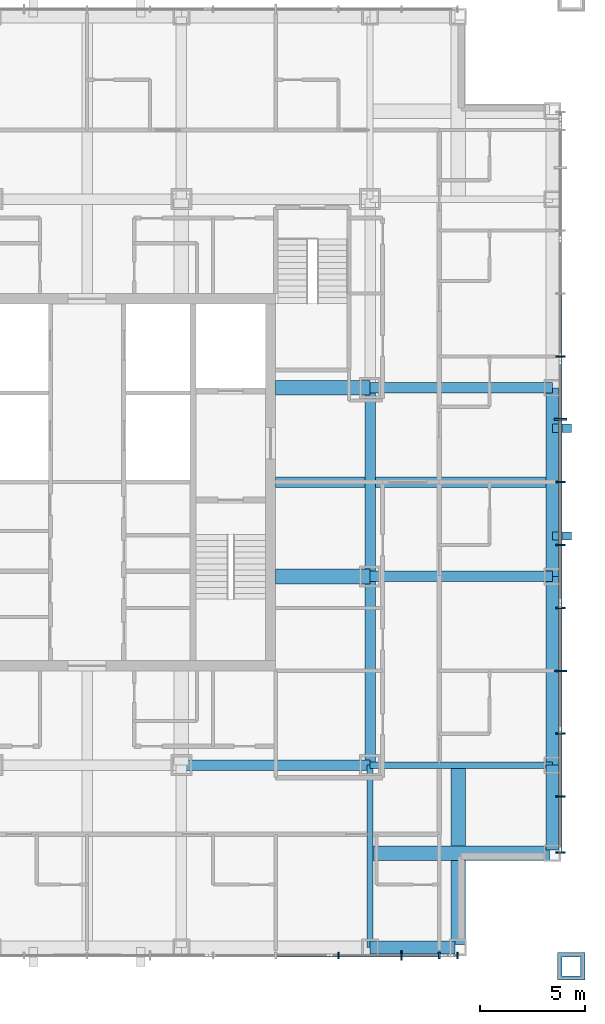
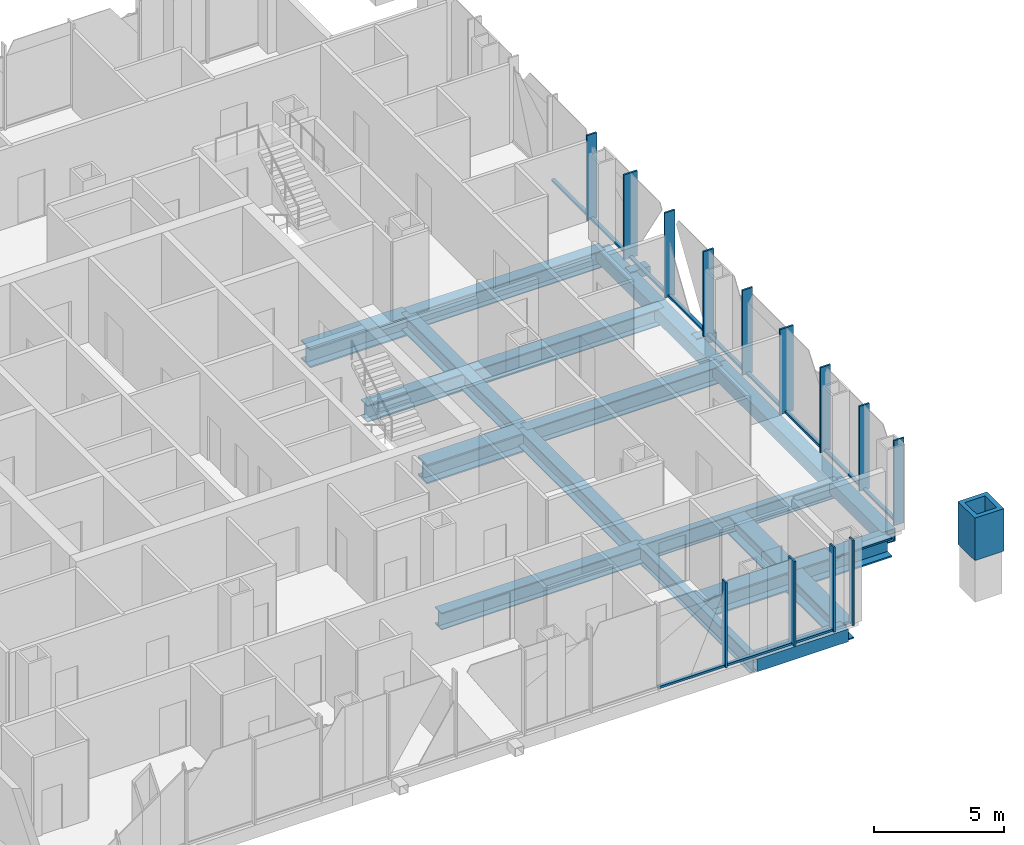
# One storey, part 3 of 25: 28 members, 16 beams, 2 elements without a shape of their own.
"""IFC4 building model written with IfcOpenShell, lengths in metres."""

from ifc_helpers import new_model, si_unit, direction, frame, origin, origin_2d, place, context, subcontext, project, spatial, rectangle, hollow_rectangle, i_section, extrude, material, layer, layer_set, material_profile, profile_set, type_object, element, aggregate, save


model = new_model("IFC4")

# Units and contexts
model_context = context("Model", 3, precision=1e-05, world=origin(), true_north=direction((0.0, 1.0)))
body_context = subcontext(model_context, "Body", "Model", "MODEL_VIEW")
ifc_project = project(units=[si_unit("LENGTHUNIT", "METRE"), si_unit("AREAUNIT", "SQUARE_METRE"), si_unit("VOLUMEUNIT", "CUBIC_METRE"), si_unit("PLANEANGLEUNIT", "RADIAN"), si_unit("MASSUNIT", "GRAM", prefix="KILO")], contexts=[model_context])

# Site, building, storey
site_placement = place(None, origin())
site = spatial("IfcSite", under=ifc_project, at=site_placement, CompositionType="ELEMENT")
building_placement = place(site_placement, origin())
building = spatial("IfcBuilding", under=site, at=building_placement, Name="Malebo Sky Hospital", CompositionType="ELEMENT")
storey_placement = place(building_placement, frame((0.0, 0.0, 241.0)))
storey = spatial("IfcBuildingStorey", under=building, at=storey_placement, Name="L58", CompositionType="ELEMENT", Elevation=241.0)

# Curtain wall, members
ifc_material_1 = material(Name="Anodised aluminium, natural silver", Category="aluminium")
ifc_layer_1 = layer(ifc_material_1, 0.25)
ifc_layer_set_1 = layer_set([ifc_layer_1], Name="WARD CURTAIN WALL NORTH AND SOUTH")
curtain_wall_type_1 = type_object("IfcCurtainWallType", Name="WARD CURTAIN WALL NORTH AND SOUTH", PredefinedType="NOTDEFINED", material=ifc_layer_set_1)
curtain_wall_1_placement = place(storey_placement, origin())
curtain_wall_1 = element("IfcCurtainWall", 1, at=curtain_wall_1_placement, inside=storey, type_object=curtain_wall_type_1, Name="NS curtain wall S", PredefinedType="NOTDEFINED")
ifc_material_profile_1 = material_profile(ifc_material_1, rectangle(XDim=0.14990234375, YDim=0.10009765625, at=origin_2d()), Name="ALUMINIUM TRANSOM 150x100")
ifc_profile_set_1 = profile_set([ifc_material_profile_1], Name="Anodised aluminium, natural silver")
member_type_1 = type_object("IfcMemberType", Name="ALUMINIUM TRANSOM 150x100", PredefinedType="USERDEFINED", material=ifc_profile_set_1)
member_1_placement = place(storey_placement, frame((76.762451171875, 39.425048828125, 0.050048828125), z_axis=(-1.0, 0.0, 0.0), x_axis=(0.0, -1.0, 0.0)))
member_1 = element("IfcMember", 2, at=member_1_placement, type_object=member_type_1, Name="Transom 2", ObjectType="TRANSOM", PredefinedType="USERDEFINED", context=body_context, shape_type="SweptSolid", body=[
    extrude(rectangle(XDim=0.14990234375, YDim=0.10009765625, at=origin_2d()), origin(), (0.0, 0.0, 1.0), 1.724853515625),
])
member_2_placement = place(storey_placement, frame((74.96240234375, 39.425048828125, 0.050048828125), z_axis=(-1.0, 0.0, 0.0), x_axis=(0.0, -1.0, 0.0)))
member_2 = element("IfcMember", 3, at=member_2_placement, type_object=member_type_1, Name="Transom 3", ObjectType="TRANSOM", PredefinedType="USERDEFINED", context=body_context, shape_type="SweptSolid", body=[
    extrude(rectangle(XDim=0.14990234375, YDim=0.10009765625, at=origin_2d()), origin(), (0.0, 0.0, 1.0), 2.9248046875),
])
member_3_placement = place(storey_placement, frame((71.96240234375, 39.425048828125, 0.050048828125), z_axis=(-1.0, 0.0, 0.0), x_axis=(0.0, -1.0, 0.0)))
member_3 = element("IfcMember", 4, at=member_3_placement, type_object=member_type_1, Name="Transom 4", ObjectType="TRANSOM", PredefinedType="USERDEFINED", context=body_context, shape_type="SweptSolid", body=[
    extrude(rectangle(XDim=0.14990234375, YDim=0.10009765625, at=origin_2d()), origin(), (0.0, 0.0, 1.0), 2.9248046875),
])

ifc_layer_2 = layer(ifc_material_1, 0.25)
ifc_layer_set_2 = layer_set([ifc_layer_2], Name="WARD CURTAIN WALL EAST AND WEST")
curtain_wall_type_2 = type_object("IfcCurtainWallType", Name="WARD CURTAIN WALL EAST AND WEST", PredefinedType="NOTDEFINED", material=ifc_layer_set_2)
curtain_wall_2_placement = place(storey_placement, origin())
curtain_wall_2 = element("IfcCurtainWall", 5, at=curtain_wall_2_placement, inside=storey, type_object=curtain_wall_type_2, Name="EW curtain wall E", PredefinedType="NOTDEFINED")
member_4_placement = place(storey_placement, frame((82.574951171875, 70.96240234375, 0.050048828125), z_axis=(0.0, -1.0, 0.0), x_axis=(1.0, 0.0, 0.0)))
member_4 = element("IfcMember", 6, at=member_4_placement, type_object=member_type_1, Name="Transom 5", ObjectType="TRANSOM", PredefinedType="USERDEFINED", context=body_context, shape_type="SweptSolid", body=[
    extrude(rectangle(XDim=0.14990234375, YDim=0.10009765625, at=origin_2d()), origin(), (0.0, 0.0, 1.0), 2.9248046875),
])
member_5_placement = place(storey_placement, frame((82.574951171875, 67.96240234375, 0.050048828125), z_axis=(0.0, -1.0, 0.0), x_axis=(1.0, 0.0, 0.0)))
member_5 = element("IfcMember", 7, at=member_5_placement, type_object=member_type_1, Name="Transom 6", ObjectType="TRANSOM", PredefinedType="USERDEFINED", context=body_context, shape_type="SweptSolid", body=[
    extrude(rectangle(XDim=0.14990234375, YDim=0.10009765625, at=origin_2d()), origin(), (0.0, 0.0, 1.0), 2.9248046875),
])
member_6_placement = place(storey_placement, frame((82.574951171875, 64.96240234375, 0.050048828125), z_axis=(0.0, -1.0, 0.0), x_axis=(1.0, 0.0, 0.0)))
member_6 = element("IfcMember", 8, at=member_6_placement, type_object=member_type_1, Name="Transom 7", ObjectType="TRANSOM", PredefinedType="USERDEFINED", context=body_context, shape_type="SweptSolid", body=[
    extrude(rectangle(XDim=0.14990234375, YDim=0.10009765625, at=origin_2d()), origin(), (0.0, 0.0, 1.0), 2.9248046875),
])
member_7_placement = place(storey_placement, frame((82.574951171875, 61.96240234375, 0.050048828125), z_axis=(0.0, -1.0, 0.0), x_axis=(1.0, 0.0, 0.0)))
member_7 = element("IfcMember", 9, at=member_7_placement, type_object=member_type_1, Name="Transom 8", ObjectType="TRANSOM", PredefinedType="USERDEFINED", context=body_context, shape_type="SweptSolid", body=[
    extrude(rectangle(XDim=0.14990234375, YDim=0.10009765625, at=origin_2d()), origin(), (0.0, 0.0, 1.0), 2.9248046875),
])
member_8_placement = place(storey_placement, frame((82.574951171875, 58.96240234375, 0.050048828125), z_axis=(0.0, -1.0, 0.0), x_axis=(1.0, 0.0, 0.0)))
member_8 = element("IfcMember", 10, at=member_8_placement, type_object=member_type_1, Name="Transom 9", ObjectType="TRANSOM", PredefinedType="USERDEFINED", context=body_context, shape_type="SweptSolid", body=[
    extrude(rectangle(XDim=0.14990234375, YDim=0.10009765625, at=origin_2d()), origin(), (0.0, 0.0, 1.0), 2.9248046875),
])
member_9_placement = place(storey_placement, frame((82.574951171875, 55.96240234375, 0.050048828125), z_axis=(0.0, -1.0, 0.0), x_axis=(1.0, 0.0, 0.0)))
member_9 = element("IfcMember", 11, at=member_9_placement, type_object=member_type_1, Name="Transom 10", ObjectType="TRANSOM", PredefinedType="USERDEFINED", context=body_context, shape_type="SweptSolid", body=[
    extrude(rectangle(XDim=0.14990234375, YDim=0.10009765625, at=origin_2d()), origin(), (0.0, 0.0, 1.0), 2.9248046875),
])
member_10_placement = place(storey_placement, frame((82.574951171875, 52.96240234375, 0.050048828125), z_axis=(0.0, -1.0, 0.0), x_axis=(1.0, 0.0, 0.0)))
member_10 = element("IfcMember", 12, at=member_10_placement, type_object=member_type_1, Name="Transom 11", ObjectType="TRANSOM", PredefinedType="USERDEFINED", context=body_context, shape_type="SweptSolid", body=[
    extrude(rectangle(XDim=0.14990234375, YDim=0.10009765625, at=origin_2d()), origin(), (0.0, 0.0, 1.0), 2.9248046875),
])
member_11_placement = place(storey_placement, frame((82.574951171875, 49.96240234375, 0.050048828125), z_axis=(0.0, -1.0, 0.0), x_axis=(1.0, 0.0, 0.0)))
member_11 = element("IfcMember", 13, at=member_11_placement, type_object=member_type_1, Name="Transom 12", ObjectType="TRANSOM", PredefinedType="USERDEFINED", context=body_context, shape_type="SweptSolid", body=[
    extrude(rectangle(XDim=0.14990234375, YDim=0.10009765625, at=origin_2d()), origin(), (0.0, 0.0, 1.0), 2.9248046875),
])
member_12_placement = place(storey_placement, frame((82.574951171875, 46.96240234375, 0.050048828125), z_axis=(0.0, -1.0, 0.0), x_axis=(1.0, 0.0, 0.0)))
member_12 = element("IfcMember", 14, at=member_12_placement, type_object=member_type_1, Name="Transom 13", ObjectType="TRANSOM", PredefinedType="USERDEFINED", context=body_context, shape_type="SweptSolid", body=[
    extrude(rectangle(XDim=0.14990234375, YDim=0.10009765625, at=origin_2d()), origin(), (0.0, 0.0, 1.0), 2.58740234375),
])

# Members
ifc_material_2 = material(Name="Steel S355", Category="steel")
ifc_material_profile_2 = material_profile(ifc_material_2, hollow_rectangle(XDim=0.39990234375, YDim=0.39990234375, WallThickness=0.02001953125, at=origin_2d()), Name="SHS 400x20")
ifc_profile_set_2 = profile_set([ifc_material_profile_2], Name="Steel S355")
member_type_2 = type_object("IfcMemberType", Name="BRACE STRUT SHS 400x20", PredefinedType="STRUT", material=ifc_profile_set_2)
for number, where, z_axis, x_axis, name in (
    (15, (83.10009765625, 59.433349609375, -0.39990234375), (-1.0, 0.0, 0.0), (0.0, -1.0, 0.0), "Brace strut CE1 L58"),
    (16, (83.10009765625, 64.566650390625, -0.39990234375), (-1.0, 0.0, 0.0), (0.0, -1.0, 0.0), "Brace strut CE2 L58"),
):
    element("IfcMember", number, at=place(storey_placement, frame(where, z_axis=z_axis, x_axis=x_axis)), inside=storey, type_object=member_type_2, Name=name, PredefinedType="STRUT", context=body_context, shape_type="SweptSolid", body=[
        extrude(hollow_rectangle(XDim=0.39990234375, YDim=0.39990234375, WallThickness=0.02001953125, at=origin_2d()), origin(), (0.0, 0.0, 1.0), 0.900146484375),
    ])

# Member
ifc_material_profile_3 = material_profile(ifc_material_1, rectangle(XDim=0.074951171875, YDim=0.300048828125, at=origin_2d()), Name="CW1 ALUMINIUM FIN MULLION 75x300")
ifc_profile_set_3 = profile_set([ifc_material_profile_3], Name="Anodised aluminium, natural silver")
member_type_3 = type_object("IfcMemberType", Name="CW1 ALUMINIUM FIN MULLION 75x300", PredefinedType="MULLION", material=ifc_profile_set_3)
member_13_placement = place(storey_placement, frame((77.66259765625, 39.425048828125, 0.0), z_axis=(0.0, 0.0, 1.0), x_axis=(-1.0, 0.0, 0.0)))
member_13 = element("IfcMember", 17, at=member_13_placement, type_object=member_type_3, Name="Fin mullion 1", PredefinedType="MULLION", context=body_context, shape_type="SweptSolid", body=[
    extrude(rectangle(XDim=0.074951171875, YDim=0.300048828125, at=origin_2d()), origin(), (0.0, 0.0, 1.0), 4.0),
])

member_14_placement = place(storey_placement, frame((76.800048828125, 39.425048828125, 0.0), z_axis=(0.0, 0.0, 1.0), x_axis=(-1.0, 0.0, 0.0)))
member_14 = element("IfcMember", 18, at=member_14_placement, type_object=member_type_3, Name="Fin mullion 2", PredefinedType="MULLION", context=body_context, shape_type="SweptSolid", body=[
    extrude(rectangle(XDim=0.074951171875, YDim=0.300048828125, at=origin_2d()), origin(), (0.0, 0.0, 1.0), 4.0),
])

member_15_placement = place(storey_placement, frame((72.0, 39.425048828125, 0.0), z_axis=(0.0, 0.0, 1.0), x_axis=(-1.0, 0.0, 0.0)))
member_15 = element("IfcMember", 19, at=member_15_placement, type_object=member_type_3, Name="Fin mullion 4", PredefinedType="MULLION", context=body_context, shape_type="SweptSolid", body=[
    extrude(rectangle(XDim=0.074951171875, YDim=0.300048828125, at=origin_2d()), origin(), (0.0, 0.0, 1.0), 4.0),
])

ifc_material_profile_4 = material_profile(ifc_material_1, rectangle(XDim=0.074951171875, YDim=0.449951171875, at=origin_2d()), Name="CW1 ALUMINIUM FIN MULLION 75x450")
ifc_profile_set_4 = profile_set([ifc_material_profile_4], Name="Anodised aluminium, natural silver")
member_type_4 = type_object("IfcMemberType", Name="CW1 ALUMINIUM FIN MULLION 75x450", PredefinedType="MULLION", material=ifc_profile_set_4)
member_16_placement = place(storey_placement, frame((75.0, 39.425048828125, 0.0), z_axis=(0.0, 0.0, 1.0), x_axis=(-1.0, 0.0, 0.0)))
member_16 = element("IfcMember", 20, at=member_16_placement, type_object=member_type_4, Name="Fin mullion 3", PredefinedType="MULLION", context=body_context, shape_type="SweptSolid", body=[
    extrude(rectangle(XDim=0.074951171875, YDim=0.449951171875, at=origin_2d()), origin(), (0.0, 0.0, 1.0), 4.0),
])

aggregate(curtain_wall_1, [member_13, member_14, member_16, member_15, member_1, member_2, member_3])

ifc_material_profile_5 = material_profile(ifc_material_1, rectangle(XDim=0.074951171875, YDim=0.449951171875, at=origin_2d()), Name="CW2 ALUMINIUM FIN MULLION 75x450")
ifc_profile_set_5 = profile_set([ifc_material_profile_5], Name="Anodised aluminium, natural silver")
member_type_5 = type_object("IfcMemberType", Name="CW2 ALUMINIUM FIN MULLION 75x450", PredefinedType="MULLION", material=ifc_profile_set_5)
member_17_placement = place(storey_placement, frame((82.574951171875, 68.0, 0.0), z_axis=(0.0, 0.0, 1.0), x_axis=(0.0, -1.0, 0.0)))
member_17 = element("IfcMember", 21, at=member_17_placement, type_object=member_type_5, Name="Fin mullion 6", PredefinedType="MULLION", context=body_context, shape_type="SweptSolid", body=[
    extrude(rectangle(XDim=0.074951171875, YDim=0.449951171875, at=origin_2d()), origin(), (0.0, 0.0, 1.0), 4.0),
])

member_18_placement = place(storey_placement, frame((82.574951171875, 62.0, 0.0), z_axis=(0.0, 0.0, 1.0), x_axis=(0.0, -1.0, 0.0)))
member_18 = element("IfcMember", 22, at=member_18_placement, type_object=member_type_5, Name="Fin mullion 8", PredefinedType="MULLION", context=body_context, shape_type="SweptSolid", body=[
    extrude(rectangle(XDim=0.074951171875, YDim=0.449951171875, at=origin_2d()), origin(), (0.0, 0.0, 1.0), 4.0),
])

member_19_placement = place(storey_placement, frame((82.574951171875, 59.0, 0.0), z_axis=(0.0, 0.0, 1.0), x_axis=(0.0, -1.0, 0.0)))
member_19 = element("IfcMember", 23, at=member_19_placement, type_object=member_type_5, Name="Fin mullion 9", PredefinedType="MULLION", context=body_context, shape_type="SweptSolid", body=[
    extrude(rectangle(XDim=0.074951171875, YDim=0.449951171875, at=origin_2d()), origin(), (0.0, 0.0, 1.0), 4.0),
])

member_20_placement = place(storey_placement, frame((82.574951171875, 56.0, 0.0), z_axis=(0.0, 0.0, 1.0), x_axis=(0.0, -1.0, 0.0)))
member_20 = element("IfcMember", 24, at=member_20_placement, type_object=member_type_5, Name="Fin mullion 10", PredefinedType="MULLION", context=body_context, shape_type="SweptSolid", body=[
    extrude(rectangle(XDim=0.074951171875, YDim=0.449951171875, at=origin_2d()), origin(), (0.0, 0.0, 1.0), 4.0),
])

member_21_placement = place(storey_placement, frame((82.574951171875, 50.0, 0.0), z_axis=(0.0, 0.0, 1.0), x_axis=(0.0, -1.0, 0.0)))
member_21 = element("IfcMember", 25, at=member_21_placement, type_object=member_type_5, Name="Fin mullion 12", PredefinedType="MULLION", context=body_context, shape_type="SweptSolid", body=[
    extrude(rectangle(XDim=0.074951171875, YDim=0.449951171875, at=origin_2d()), origin(), (0.0, 0.0, 1.0), 4.0),
])

member_22_placement = place(storey_placement, frame((82.574951171875, 47.0, 0.0), z_axis=(0.0, 0.0, 1.0), x_axis=(0.0, -1.0, 0.0)))
member_22 = element("IfcMember", 26, at=member_22_placement, type_object=member_type_5, Name="Fin mullion 13", PredefinedType="MULLION", context=body_context, shape_type="SweptSolid", body=[
    extrude(rectangle(XDim=0.074951171875, YDim=0.449951171875, at=origin_2d()), origin(), (0.0, 0.0, 1.0), 4.0),
])

member_23_placement = place(storey_placement, frame((82.574951171875, 44.33740234375, 0.0), z_axis=(0.0, 0.0, 1.0), x_axis=(0.0, -1.0, 0.0)))
member_23 = element("IfcMember", 27, at=member_23_placement, type_object=member_type_5, Name="Fin mullion 14", PredefinedType="MULLION", context=body_context, shape_type="SweptSolid", body=[
    extrude(rectangle(XDim=0.074951171875, YDim=0.449951171875, at=origin_2d()), origin(), (0.0, 0.0, 1.0), 4.0),
])

ifc_material_profile_6 = material_profile(ifc_material_1, rectangle(XDim=0.074951171875, YDim=0.60009765625, at=origin_2d()), Name="CW2 ALUMINIUM FIN MULLION 75x600")
ifc_profile_set_6 = profile_set([ifc_material_profile_6], Name="Anodised aluminium, natural silver")
member_type_6 = type_object("IfcMemberType", Name="CW2 ALUMINIUM FIN MULLION 75x600", PredefinedType="MULLION", material=ifc_profile_set_6)
member_24_placement = place(storey_placement, frame((82.574951171875, 65.0, 0.0), z_axis=(0.0, 0.0, 1.0), x_axis=(0.0, -1.0, 0.0)))
member_24 = element("IfcMember", 28, at=member_24_placement, type_object=member_type_6, Name="Fin mullion 7", PredefinedType="MULLION", context=body_context, shape_type="SweptSolid", body=[
    extrude(rectangle(XDim=0.074951171875, YDim=0.60009765625, at=origin_2d()), origin(), (0.0, 0.0, 1.0), 4.0),
])

member_25_placement = place(storey_placement, frame((82.574951171875, 53.0, 0.0), z_axis=(0.0, 0.0, 1.0), x_axis=(0.0, -1.0, 0.0)))
member_25 = element("IfcMember", 29, at=member_25_placement, type_object=member_type_6, Name="Fin mullion 11", PredefinedType="MULLION", context=body_context, shape_type="SweptSolid", body=[
    extrude(rectangle(XDim=0.074951171875, YDim=0.60009765625, at=origin_2d()), origin(), (0.0, 0.0, 1.0), 4.0),
])

aggregate(curtain_wall_2, [member_17, member_24, member_18, member_19, member_20, member_25, member_21, member_22, member_23, member_4, member_5, member_6, member_7, member_8, member_9, member_10, member_11, member_12])

# Beams
ifc_material_3 = material(Name="Steel S460", Category="steel")
ifc_material_profile_7 = material_profile(ifc_material_3, hollow_rectangle(XDim=0.60009765625, YDim=0.60009765625, WallThickness=0.0400390625, at=origin_2d()), Name="BOX 600x600x40")
ifc_profile_set_7 = profile_set([ifc_material_profile_7], Name="Steel S460")
beam_type_1 = type_object("IfcBeamType", Name="EDGE BEAM BOX 600x600x40", PredefinedType="BEAM", material=ifc_profile_set_7)
beam_1_placement = place(storey_placement, frame((82.199951171875, 44.449951171875, -0.550048828125), z_axis=(0.0, 1.0, 0.0), x_axis=(-1.0, 0.0, 0.0)))
element("IfcBeam", 30, at=beam_1_placement, inside=storey, type_object=beam_type_1, Name="Beam 029 L58", PredefinedType="BEAM", context=body_context, shape_type="SweptSolid", body=[
    extrude(hollow_rectangle(XDim=0.60009765625, YDim=0.60009765625, WallThickness=0.0400390625, at=origin_2d()), origin(), (0.0, 0.0, 1.0), 4.050048828125),
])
for number, where, z_axis, x_axis, name in (
    (31, (82.199951171875, 48.5, -0.550048828125), (0.0, 1.0, 0.0), (-1.0, 0.0, 0.0), "Beam 030 L58"),
    (32, (82.199951171875, 57.5, -0.550048828125), (0.0, 1.0, 0.0), (-1.0, 0.0, 0.0), "Beam 031 L58"),
):
    element("IfcBeam", number, at=place(storey_placement, frame(where, z_axis=z_axis, x_axis=x_axis)), inside=storey, type_object=beam_type_1, Name=name, PredefinedType="BEAM", context=body_context, shape_type="SweptSolid", body=[
        extrude(hollow_rectangle(XDim=0.60009765625, YDim=0.60009765625, WallThickness=0.0400390625, at=origin_2d()), origin(), (0.0, 0.0, 1.0), 9.0),
    ])
beam_2_placement = place(storey_placement, frame((73.5, 39.800048828125, -0.550048828125), z_axis=(1.0, 0.0, 0.0), x_axis=(0.0, 1.0, 0.0)))
element("IfcBeam", 33, at=beam_2_placement, inside=storey, type_object=beam_type_1, Name="Beam 038 L58", PredefinedType="BEAM", context=body_context, shape_type="SweptSolid", body=[
    extrude(hollow_rectangle(XDim=0.60009765625, YDim=0.60009765625, WallThickness=0.0400390625, at=origin_2d()), origin(), (0.0, 0.0, 1.0), 4.050048828125),
])
ifc_material_profile_8 = material_profile(ifc_material_2, i_section(OverallWidth=0.5, OverallDepth=0.800048828125, WebThickness=0.030029296875, FlangeThickness=0.050048828125, at=origin_2d()), Name="PG 800x500x30x50")
ifc_profile_set_8 = profile_set([ifc_material_profile_8], Name="Steel S355")
beam_type_2 = type_object("IfcBeamType", Name="FLOOR BEAM PG 800x500x30x50", PredefinedType="BEAM", material=ifc_profile_set_8)
for number, where, z_axis, x_axis, name in (
    (34, (73.5, 48.5, -0.64990234375), (0.0, 1.0, 0.0), (-1.0, 0.0, 0.0), "Beam 023 L58"),
    (35, (64.5, 48.5, -0.64990234375), (1.0, 0.0, 0.0), (0.0, 1.0, 0.0), "Beam 044 L58"),
):
    element("IfcBeam", number, at=place(storey_placement, frame(where, z_axis=z_axis, x_axis=x_axis)), inside=storey, type_object=beam_type_2, Name=name, PredefinedType="BEAM", context=body_context, shape_type="SweptSolid", body=[
        extrude(i_section(OverallWidth=0.5, OverallDepth=0.800048828125, WebThickness=0.030029296875, FlangeThickness=0.050048828125, at=origin_2d()), origin(), (0.0, 0.0, 1.0), 9.0),
    ])
beam_3_placement = place(storey_placement, frame((73.5, 57.5, -0.64990234375), z_axis=(1.0, 0.0, 0.0), x_axis=(0.0, 1.0, 0.0)))
element("IfcBeam", 36, at=beam_3_placement, inside=storey, type_object=beam_type_2, Name="Beam 049 L58", PredefinedType="BEAM", context=body_context, shape_type="SweptSolid", body=[
    extrude(i_section(OverallWidth=0.5, OverallDepth=0.800048828125, WebThickness=0.030029296875, FlangeThickness=0.050048828125, at=origin_2d()), origin(), (0.0, 0.0, 1.0), 8.699951171875),
])
beam_4_placement = place(storey_placement, frame((69.0, 62.0, -0.64990234375), z_axis=(1.0, 0.0, 0.0), x_axis=(0.0, 1.0, 0.0)))
element("IfcBeam", 37, at=beam_4_placement, inside=storey, type_object=beam_type_2, Name="Beam 051 L58", PredefinedType="BEAM", context=body_context, shape_type="SweptSolid", body=[
    extrude(i_section(OverallWidth=0.5, OverallDepth=0.800048828125, WebThickness=0.030029296875, FlangeThickness=0.050048828125, at=origin_2d()), origin(), (0.0, 0.0, 1.0), 13.199951171875),
])
beam_5_placement = place(storey_placement, frame((73.5, 66.5, -0.64990234375), z_axis=(1.0, 0.0, 0.0), x_axis=(0.0, 1.0, 0.0)))
element("IfcBeam", 38, at=beam_5_placement, inside=storey, type_object=beam_type_2, Name="Beam 055 L58", PredefinedType="BEAM", context=body_context, shape_type="SweptSolid", body=[
    extrude(i_section(OverallWidth=0.5, OverallDepth=0.800048828125, WebThickness=0.030029296875, FlangeThickness=0.050048828125, at=origin_2d()), origin(), (0.0, 0.0, 1.0), 8.699951171875),
])
ifc_material_profile_9 = material_profile(ifc_material_2, i_section(OverallWidth=0.699951171875, OverallDepth=0.89990234375, WebThickness=0.0400390625, FlangeThickness=0.070068359375, at=origin_2d()), Name="PG 900x700x40x70")
ifc_profile_set_9 = profile_set([ifc_material_profile_9], Name="Steel S355")
beam_type_3 = type_object("IfcBeamType", Name="FLOOR BEAM PG 900x700x40x70", PredefinedType="BEAM", material=ifc_profile_set_9)
for number, where, z_axis, x_axis, name in (
    (39, (77.699951171875, 39.949951171875, -0.699951171875), (0.0, 1.0, 0.0), (-1.0, 0.0, 0.0), "Beam 027 L58"),
    (40, (73.5, 44.300048828125, -0.699951171875), (1.0, 0.0, 0.0), (0.0, 1.0, 0.0), "Beam 040 L58"),
):
    element("IfcBeam", number, at=place(storey_placement, frame(where, z_axis=z_axis, x_axis=x_axis)), inside=storey, type_object=beam_type_3, Name=name, PredefinedType="BEAM", context=body_context, shape_type="SweptSolid", body=[
        extrude(i_section(OverallWidth=0.699951171875, OverallDepth=0.89990234375, WebThickness=0.0400390625, FlangeThickness=0.070068359375, at=origin_2d()), origin(), (0.0, 0.0, 1.0), 8.550048828125),
    ])
for number, where, z_axis, x_axis, name in (
    (41, (69.0, 57.5, -0.699951171875), (1.0, 0.0, 0.0), (0.0, 1.0, 0.0), "Beam 048 L58"),
    (42, (69.0, 66.5, -0.699951171875), (1.0, 0.0, 0.0), (0.0, 1.0, 0.0), "Beam 054 L58"),
):
    element("IfcBeam", number, at=place(storey_placement, frame(where, z_axis=z_axis, x_axis=x_axis)), inside=storey, type_object=beam_type_3, Name=name, PredefinedType="BEAM", context=body_context, shape_type="SweptSolid", body=[
        extrude(i_section(OverallWidth=0.699951171875, OverallDepth=0.89990234375, WebThickness=0.0400390625, FlangeThickness=0.070068359375, at=origin_2d()), origin(), (0.0, 0.0, 1.0), 4.5),
    ])
ifc_material_profile_10 = material_profile(ifc_material_2, i_section(OverallWidth=0.300048828125, OverallDepth=0.800048828125, WebThickness=0.017578125, FlangeThickness=0.032958984375, FilletRadius=0.030029296875, at=origin_2d()), Name="HEB 800")
ifc_profile_set_10 = profile_set([ifc_material_profile_10], Name="Steel S355")
beam_type_4 = type_object("IfcBeamType", Name="FLOOR GIRDER HEB 800", PredefinedType="BEAM", material=ifc_profile_set_10)
for number, where, z_axis, x_axis, name in (
    (43, (73.5, 39.800048828125, -0.64990234375), (0.0, 1.0, 0.0), (-1.0, 0.0, 0.0), "Beam 022 L58"),
    (44, (73.5, 48.5, -0.64990234375), (1.0, 0.0, 0.0), (0.0, 1.0, 0.0), "Beam 045 L58"),
):
    element("IfcBeam", number, at=place(storey_placement, frame(where, z_axis=z_axis, x_axis=x_axis)), inside=storey, type_object=beam_type_4, Name=name, PredefinedType="BEAM", context=body_context, shape_type="SweptSolid", body=[
        extrude(i_section(OverallWidth=0.300048828125, OverallDepth=0.800048828125, WebThickness=0.017578125, FlangeThickness=0.032958984375, FilletRadius=0.030029296875, at=origin_2d()), origin(), (0.0, 0.0, 1.0), 8.699951171875),
    ])

# Member
ifc_material_profile_11 = material_profile(ifc_material_3, hollow_rectangle(XDim=1.300048828125, YDim=1.300048828125, WallThickness=0.199951171875, at=origin_2d()), Name="BOX 1300x1300x200")
ifc_profile_set_11 = profile_set([ifc_material_profile_11], Name="Steel S460")
member_type_7 = type_object("IfcMemberType", Name="MEGA COLUMN NODE BOX 1300x1300x200", PredefinedType="MEMBER", material=ifc_profile_set_11)
member_26_placement = place(storey_placement, frame((83.10009765625, 38.89990234375, 2.0), z_axis=(0.0, 0.0, 1.0), x_axis=(1.0, 0.0, 0.0)))
element("IfcMember", 45, at=member_26_placement, inside=storey, type_object=member_type_7, Name="Mega column node SE L58", PredefinedType="MEMBER", context=body_context, shape_type="SweptSolid", body=[
    extrude(hollow_rectangle(XDim=1.300048828125, YDim=1.300048828125, WallThickness=0.199951171875, at=origin_2d()), origin(), (0.0, 0.0, 1.0), 2.0),
])

# Beam
ifc_material_profile_12 = material_profile(ifc_material_2, i_section(OverallWidth=0.5, OverallDepth=0.800048828125, WebThickness=0.030029296875, FlangeThickness=0.050048828125, at=origin_2d()), Name="PG 800x500x30x50")
ifc_profile_set_12 = profile_set([ifc_material_profile_12], Name="Steel S355")
beam_type_5 = type_object("IfcBeamType", Name="RING GIRDER PG 800x500x30x50", PredefinedType="BEAM", material=ifc_profile_set_12)
beam_6_placement = place(storey_placement, frame((73.5, 57.5, -0.64990234375), z_axis=(0.0, 1.0, 0.0), x_axis=(-1.0, 0.0, 0.0)))
element("IfcBeam", 46, at=beam_6_placement, inside=storey, type_object=beam_type_5, Name="Beam 024 L58", PredefinedType="BEAM", context=body_context, shape_type="SweptSolid", body=[
    extrude(i_section(OverallWidth=0.5, OverallDepth=0.800048828125, WebThickness=0.030029296875, FlangeThickness=0.050048828125, at=origin_2d()), origin(), (0.0, 0.0, 1.0), 9.0),
])

save(model, "model.ifc")
